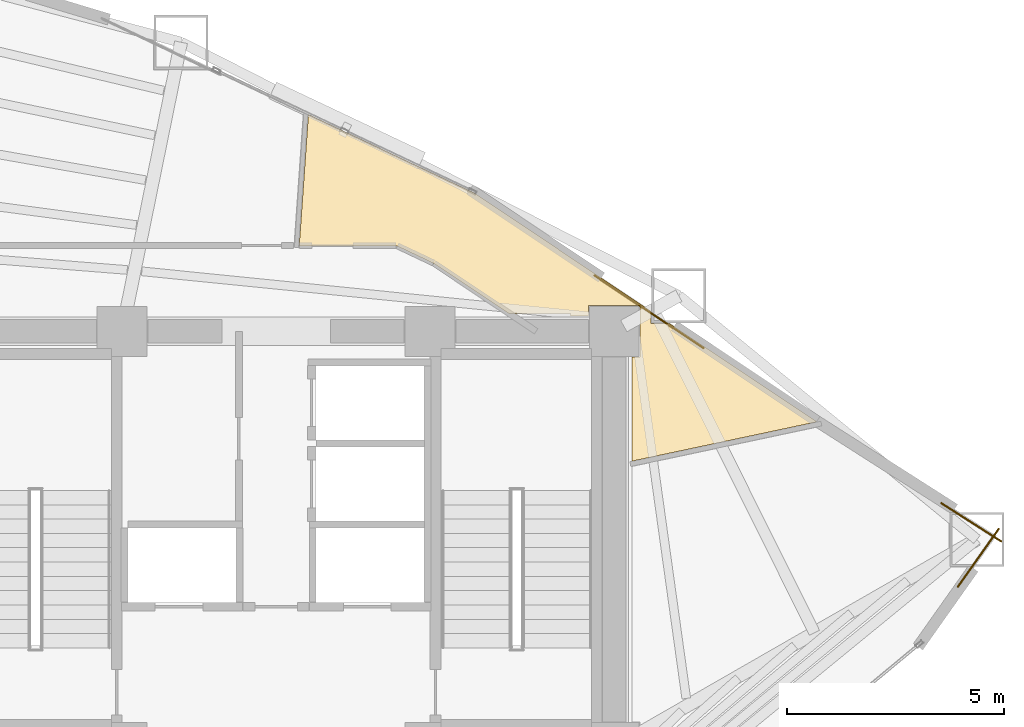
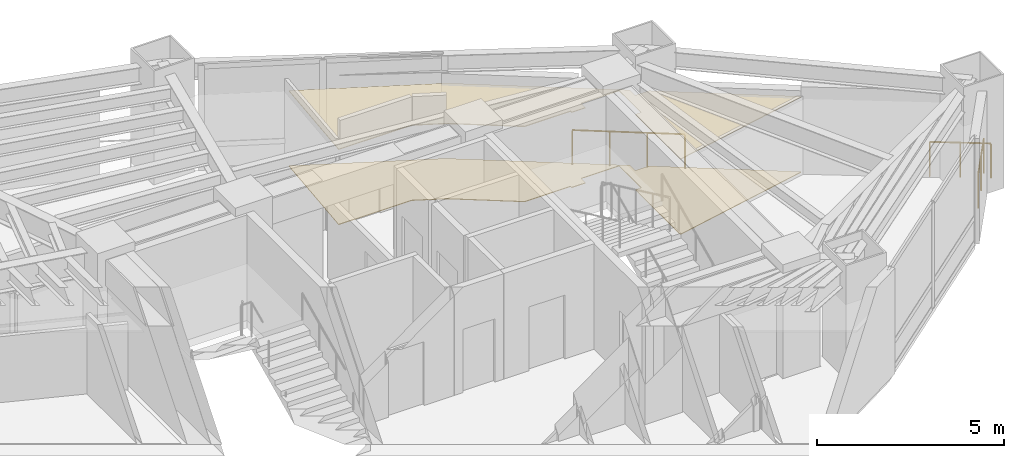
# One storey, part 25 of 25: 3 railings, 2 coverings.
"""IFC4 building model written with IfcOpenShell, lengths in metres."""

from ifc_helpers import new_model, si_unit, direction, frame, origin, origin_2d, place, context, subcontext, project, spatial, polyline, circle, outline, extrude, material, layer, layer_set, type_object, element, save


model = new_model("IFC4")

# Units and contexts
model_context = context("Model", 3, precision=1e-05, world=origin(), true_north=direction((0.0, 1.0)))
body_context = subcontext(model_context, "Body", "Model", "MODEL_VIEW")
ifc_project = project(units=[si_unit("LENGTHUNIT", "METRE"), si_unit("AREAUNIT", "SQUARE_METRE"), si_unit("VOLUMEUNIT", "CUBIC_METRE"), si_unit("PLANEANGLEUNIT", "RADIAN"), si_unit("MASSUNIT", "GRAM", prefix="KILO")], contexts=[model_context])

# Site, building, storey
site_placement = place(None, origin())
site = spatial("IfcSite", under=ifc_project, at=site_placement, CompositionType="ELEMENT")
building_placement = place(site_placement, origin())
building = spatial("IfcBuilding", under=site, at=building_placement, Name="Menara Vayukalpa", CompositionType="ELEMENT")
storey_placement = place(building_placement, frame((0.0, 0.0, 115.139892578125)))
storey = spatial("IfcBuildingStorey", under=building, at=storey_placement, Name="L28", CompositionType="ELEMENT", Elevation=115.139892578125)

# Coverings
ifc_material_1 = material(Name="Mineral Fibre Acoustic Ceiling Tile", Category="masonry")
ifc_layer_1 = layer(ifc_material_1, 0.02490234375)
ifc_layer_set_1 = layer_set([ifc_layer_1], Name="Mineral Fibre Acoustic Ceiling Tile")
covering_type_1 = type_object("IfcCoveringType", Name="COV-CLG1", PredefinedType="CEILING", material=ifc_layer_set_1)
covering_1_placement = place(storey_placement, frame((0.0, 0.0, 2.4501953125)))
element("IfcCovering", 1, at=covering_1_placement, inside=storey, type_object=covering_type_1, Name="L28 Executive Boardroom Acoustic Ceiling", PredefinedType="CEILING", context=body_context, shape_type="SweptSolid", body=[
    extrude(outline(polyline([(30.968994140625, 27.2099609375), (30.968017578125, 27.2099609375), (30.96728515625, 27.210205078125), (30.96630859375, 27.21044921875), (30.96533203125, 27.210693359375), (30.96435546875, 27.211181640625), (30.96337890625, 27.211669921875), (29.236572265625, 28.364501953125), (29.22705078125, 28.369873046875), (28.396240234375, 28.76318359375), (28.390380859375, 28.765625), (28.384521484375, 28.767578125), (28.37841796875, 28.768798828125), (28.372314453125, 28.769775390625), (28.365966796875, 28.77001953125), (26.144287109375, 28.77001953125), (26.143310546875, 28.77001953125), (26.142333984375, 28.770263671875), (26.141357421875, 28.7705078125), (26.140380859375, 28.770751953125), (26.1396484375, 28.77099609375), (26.138916015625, 28.771484375), (26.137939453125, 28.772216796875), (26.13720703125, 28.772705078125), (26.13671875, 28.7734375), (26.135986328125, 28.7744140625), (26.135498046875, 28.775146484375), (26.135009765625, 28.77587890625), (26.134765625, 28.77685546875), (26.134521484375, 28.77783203125), (26.134521484375, 28.77880859375), (26.13427734375, 28.77978515625), (26.13427734375, 28.78076171875), (26.344482421875, 31.788330078125), (26.3447265625, 31.789306640625), (26.344970703125, 31.790283203125), (26.34521484375, 31.791015625), (26.345703125, 31.7919921875), (26.34619140625, 31.79296875), (26.3466796875, 31.793701171875), (26.347412109375, 31.79443359375), (26.347900390625, 31.795166015625), (26.3486328125, 31.795654296875), (26.349609375, 31.796142578125), (26.350341796875, 31.796630859375), (26.351318359375, 31.797119140625), (26.352294921875, 31.79736328125), (26.353271484375, 31.797607421875), (26.354248046875, 31.797607421875), (26.35498046875, 31.797607421875), (26.356201171875, 31.797607421875), (26.357177734375, 31.79736328125), (26.35791015625, 31.797119140625), (26.35888671875, 31.796630859375), (30.155517578125, 29.999267578125), (30.156982421875, 29.99853515625), (34.246826171875, 27.268310546875), (34.246826171875, 26.981689453125), (34.67626953125, 26.981689453125), (38.055419921875, 24.72607421875), (38.055908203125, 24.7255859375), (38.056884765625, 24.724853515625), (38.057373046875, 24.72412109375), (38.05810546875, 24.723388671875), (38.05859375, 24.722412109375), (38.058837890625, 24.7216796875), (38.059326171875, 24.720703125), (38.0595703125, 24.7197265625), (38.0595703125, 24.71875), (38.059814453125, 24.718017578125), (38.059814453125, 24.716796875), (38.0595703125, 24.7158203125), (38.059326171875, 24.715087890625), (38.05908203125, 24.714111328125), (38.05859375, 24.713134765625), (38.05810546875, 24.71240234375), (38.0576171875, 24.71142578125), (38.056884765625, 24.710693359375), (38.05615234375, 24.710205078125), (38.055419921875, 24.70947265625), (38.054443359375, 24.708984375), (38.0537109375, 24.70849609375), (38.052734375, 24.708251953125), (38.0517578125, 24.7080078125), (33.822021484375, 23.80908203125), (33.821044921875, 23.808837890625), (33.820068359375, 23.808837890625), (33.819091796875, 23.808837890625), (33.818115234375, 23.80908203125), (33.817138671875, 23.80908203125), (33.81640625, 23.8095703125), (33.8154296875, 23.809814453125), (33.814453125, 23.810302734375), (33.813720703125, 23.81103515625), (33.81298828125, 23.811767578125), (33.812255859375, 23.8125), (33.811767578125, 23.813232421875), (33.811279296875, 23.814208984375), (33.810791015625, 23.81494140625), (33.810302734375, 23.81591796875), (33.810302734375, 23.81689453125), (33.81005859375, 23.81787109375), (33.81005859375, 23.81884765625), (33.81005859375, 26.2099609375), (33.989990234375, 26.2099609375), (33.989990234375, 27.389892578125), (32.81005859375, 27.389892578125), (32.81005859375, 27.14990234375), (32.389892578125, 27.14990234375), (32.389892578125, 27.2099609375), (30.968994140625, 27.2099609375)])), origin(), (0.0, 0.0, 1.0), 0.02490234375),
])
ifc_material_2 = material(Name="Porcelain Stoneware Floor Tile", Category="masonry")
ifc_layer_2 = layer(ifc_material_2, 0.02001953125)
ifc_layer_set_2 = layer_set([ifc_layer_2], Name="Porcelain Stoneware Floor Tile")
covering_type_2 = type_object("IfcCoveringType", Name="COV-FLR1", PredefinedType="FLOORING", material=ifc_layer_set_2)
covering_2_placement = place(storey_placement, origin())
element("IfcCovering", 2, at=covering_2_placement, inside=storey, type_object=covering_type_2, Name="L28 Executive Boardroom Porcelain Flooring", PredefinedType="FLOORING", context=body_context, shape_type="SweptSolid", body=[
    extrude(outline(polyline([(30.968994140625, 27.2099609375), (30.968017578125, 27.2099609375), (30.96728515625, 27.210205078125), (30.96630859375, 27.21044921875), (30.96533203125, 27.210693359375), (30.96435546875, 27.211181640625), (30.96337890625, 27.211669921875), (29.236572265625, 28.364501953125), (29.22705078125, 28.369873046875), (28.396240234375, 28.76318359375), (28.390380859375, 28.765625), (28.384521484375, 28.767578125), (28.37841796875, 28.768798828125), (28.372314453125, 28.769775390625), (28.365966796875, 28.77001953125), (26.144287109375, 28.77001953125), (26.143310546875, 28.77001953125), (26.142333984375, 28.770263671875), (26.141357421875, 28.7705078125), (26.140380859375, 28.770751953125), (26.1396484375, 28.77099609375), (26.138916015625, 28.771484375), (26.137939453125, 28.772216796875), (26.13720703125, 28.772705078125), (26.13671875, 28.7734375), (26.135986328125, 28.7744140625), (26.135498046875, 28.775146484375), (26.135009765625, 28.77587890625), (26.134765625, 28.77685546875), (26.134521484375, 28.77783203125), (26.134521484375, 28.77880859375), (26.13427734375, 28.77978515625), (26.13427734375, 28.78076171875), (26.344482421875, 31.788330078125), (26.3447265625, 31.789306640625), (26.344970703125, 31.790283203125), (26.34521484375, 31.791015625), (26.345703125, 31.7919921875), (26.34619140625, 31.79296875), (26.3466796875, 31.793701171875), (26.347412109375, 31.79443359375), (26.347900390625, 31.795166015625), (26.3486328125, 31.795654296875), (26.349609375, 31.796142578125), (26.350341796875, 31.796630859375), (26.351318359375, 31.797119140625), (26.352294921875, 31.79736328125), (26.353271484375, 31.797607421875), (26.354248046875, 31.797607421875), (26.35498046875, 31.797607421875), (26.356201171875, 31.797607421875), (26.357177734375, 31.79736328125), (26.35791015625, 31.797119140625), (26.35888671875, 31.796630859375), (30.155517578125, 29.999267578125), (30.156982421875, 29.99853515625), (34.246826171875, 27.268310546875), (34.246826171875, 26.981689453125), (34.67626953125, 26.981689453125), (38.055419921875, 24.72607421875), (38.055908203125, 24.7255859375), (38.056884765625, 24.724853515625), (38.057373046875, 24.72412109375), (38.05810546875, 24.723388671875), (38.05859375, 24.722412109375), (38.058837890625, 24.7216796875), (38.059326171875, 24.720703125), (38.0595703125, 24.7197265625), (38.0595703125, 24.71875), (38.059814453125, 24.718017578125), (38.059814453125, 24.716796875), (38.0595703125, 24.7158203125), (38.059326171875, 24.715087890625), (38.05908203125, 24.714111328125), (38.05859375, 24.713134765625), (38.05810546875, 24.71240234375), (38.0576171875, 24.71142578125), (38.056884765625, 24.710693359375), (38.05615234375, 24.710205078125), (38.055419921875, 24.70947265625), (38.054443359375, 24.708984375), (38.0537109375, 24.70849609375), (38.052734375, 24.708251953125), (38.0517578125, 24.7080078125), (33.822021484375, 23.80908203125), (33.821044921875, 23.808837890625), (33.820068359375, 23.808837890625), (33.819091796875, 23.808837890625), (33.818115234375, 23.80908203125), (33.817138671875, 23.80908203125), (33.81640625, 23.8095703125), (33.8154296875, 23.809814453125), (33.814453125, 23.810302734375), (33.813720703125, 23.81103515625), (33.81298828125, 23.811767578125), (33.812255859375, 23.8125), (33.811767578125, 23.813232421875), (33.811279296875, 23.814208984375), (33.810791015625, 23.81494140625), (33.810302734375, 23.81591796875), (33.810302734375, 23.81689453125), (33.81005859375, 23.81787109375), (33.81005859375, 23.81884765625), (33.81005859375, 26.2099609375), (33.989990234375, 26.2099609375), (33.989990234375, 27.389892578125), (32.81005859375, 27.389892578125), (32.81005859375, 27.14990234375), (32.389892578125, 27.14990234375), (32.389892578125, 27.2099609375), (30.968994140625, 27.2099609375)])), origin(), (0.0, 0.0, 1.0), 0.02001953125),
])

# Railings
ifc_material_3 = material(Name="Laminated Glass and Stainless Steel 316 Guardrail", Category="steel")
railing_type = type_object("IfcRailingType", Name="RLG-EXT115", PredefinedType="GUARDRAIL", material=ifc_material_3)
railing_1_placement = place(storey_placement, frame((41.322509765625, 20.908447265625, 0.0)))
element("IfcRailing", 3, at=railing_1_placement, inside=storey, type_object=railing_type, Name="L28 Column Corner Spandrel Guardrail 01-1", PredefinedType="GUARDRAIL", context=body_context, shape_type="SweptSolid", body=[
    extrude(circle(Radius=0.02392578125, at=origin_2d()), frame((0.0, 0.0, 1.1259765625), z_axis=(0.577005689329, 0.816740126651, 0.0), x_axis=(-0.816740126651, 0.577005689329, 0.0)), (0.0, 0.0, 1.0), 1.634521484375),
    extrude(circle(Radius=0.02099609375, at=origin_2d()), origin(), (0.0, 0.0, 1.0), 1.101806640625),
    extrude(circle(Radius=0.02099609375, at=origin_2d()), frame((0.4716796875, 0.66748046875, 0.0)), (0.0, 0.0, 1.0), 1.101806640625),
    extrude(circle(Radius=0.02099609375, at=origin_2d()), frame((0.943115234375, 1.3349609375, 0.0)), (0.0, 0.0, 1.0), 1.101806640625),
])
railing_2_placement = place(storey_placement, frame((42.322265625, 21.955810546875, 0.0)))
element("IfcRailing", 4, at=railing_2_placement, inside=storey, type_object=railing_type, Name="L28 Column Corner Spandrel Guardrail 02-1", PredefinedType="GUARDRAIL", context=body_context, shape_type="SweptSolid", body=[
    extrude(circle(Radius=0.02392578125, at=origin_2d()), frame((0.0, 0.0, 1.1259765625), z_axis=(-0.843072907212, 0.537799287025, 0.0), x_axis=(-0.537799287025, -0.843072907212, 0.0)), (0.0, 0.0, 1.0), 1.64111328125),
    extrude(circle(Radius=0.02099609375, at=origin_2d()), origin(), (0.0, 0.0, 1.0), 1.101806640625),
    extrude(circle(Radius=0.02099609375, at=origin_2d()), frame((-0.69189453125, 0.44140625, 0.0)), (0.0, 0.0, 1.0), 1.101806640625),
    extrude(circle(Radius=0.02099609375, at=origin_2d()), frame((-1.383544921875, 0.882568359375, 0.0)), (0.0, 0.0, 1.0), 1.101806640625),
])
railing_3_placement = place(storey_placement, frame((35.45654296875, 26.412841796875, 0.0)))
element("IfcRailing", 5, at=railing_3_placement, inside=storey, type_object=railing_type, Name="L28 Column Corner Spandrel Guardrail 03-1", PredefinedType="GUARDRAIL", context=body_context, shape_type="SweptSolid", body=[
    extrude(circle(Radius=0.02392578125, at=origin_2d()), frame((0.0, 0.0, 1.1259765625), z_axis=(-0.831751720717, 0.555147795713, 0.0), x_axis=(-0.555147795713, -0.831751720717, 0.0)), (0.0, 0.0, 1.0), 3.020263671875),
    extrude(circle(Radius=0.02099609375, at=origin_2d()), origin(), (0.0, 0.0, 1.0), 1.101806640625),
    extrude(circle(Radius=0.02099609375, at=origin_2d()), frame((-0.83740234375, 0.558837890625, 0.0)), (0.0, 0.0, 1.0), 1.101806640625),
    extrude(circle(Radius=0.02099609375, at=origin_2d()), frame((-1.6748046875, 1.117919921875, 0.0)), (0.0, 0.0, 1.0), 1.101806640625),
    extrude(circle(Radius=0.02099609375, at=origin_2d()), frame((-2.51220703125, 1.6767578125, 0.0)), (0.0, 0.0, 1.0), 1.101806640625),
])

save(model, "model.ifc")
